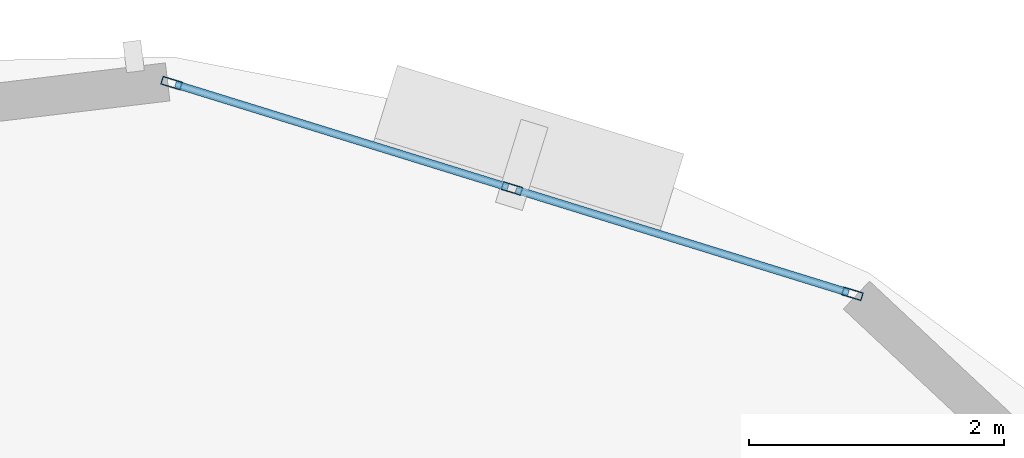
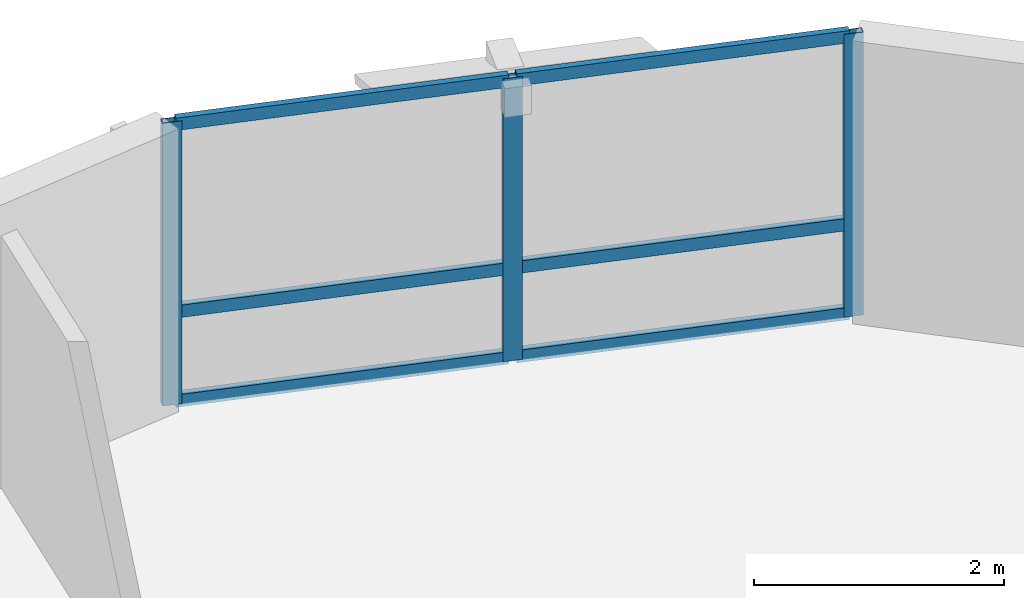
# One storey, part 5 of 11: 9 members, 1 element without a shape of its own.
"""IFC4 building model written with IfcOpenShell, lengths in metres."""

from ifc_helpers import new_model, si_unit, direction, frame, origin, origin_2d, place, context, subcontext, project, spatial, hollow_rectangle, extrude, material, layer, layer_set, material_profile, profile_set, type_object, element, aggregate, save


model = new_model("IFC4")

# Units and contexts
model_context = context("Model", 3, precision=1e-05, world=origin(), true_north=direction((0.0, 1.0)))
body_context = subcontext(model_context, "Body", "Model", "MODEL_VIEW")
ifc_project = project(units=[si_unit("LENGTHUNIT", "METRE"), si_unit("AREAUNIT", "SQUARE_METRE"), si_unit("VOLUMEUNIT", "CUBIC_METRE"), si_unit("PLANEANGLEUNIT", "RADIAN"), si_unit("MASSUNIT", "GRAM", prefix="KILO"), si_unit("THERMODYNAMICTEMPERATUREUNIT", "KELVIN"), si_unit("POWERUNIT", "WATT")], contexts=[model_context])

# Site, building, storey
site_placement = place(None, origin())
site = spatial("IfcSite", under=ifc_project, at=site_placement, CompositionType="ELEMENT")
building_placement = place(site_placement, origin())
building = spatial("IfcBuilding", under=site, at=building_placement, Name="Ocrelia Relay Tower", CompositionType="ELEMENT")
storey_placement = place(building_placement, frame((0.0, 0.0, 277.199951171875)))
storey = spatial("IfcBuildingStorey", under=building, at=storey_placement, Name="L69", CompositionType="ELEMENT", Elevation=277.199951171875)

# Curtain wall, members
ifc_material_1 = material(Name="Aluminium and solar-control low-E glass", Category="aluminium")
ifc_layer = layer(ifc_material_1, 0.179931640625, Name="Aluminium and solar-control low-E glass")
ifc_layer_set = layer_set([ifc_layer], Name="Aluminium and solar-control low-E glass")
curtain_wall_type = type_object("IfcCurtainWallType", Name="CW-SYS-Z4-EXEC", PredefinedType="NOTDEFINED", material=ifc_layer_set)
curtain_wall_placement = place(storey_placement, origin())
curtain_wall = element("IfcCurtainWall", 1, at=curtain_wall_placement, inside=storey, type_object=curtain_wall_type, Name="L69 Elliptical Tower Curtain Wall Bay 01", PredefinedType="NOTDEFINED")
ifc_material_2 = material(Name="Anodised bronze aluminium", Category="aluminium")
ifc_material_profile_1 = material_profile(ifc_material_2, hollow_rectangle(XDim=0.06494140625, YDim=0.159912109375, WallThickness=0.0048828125, at=origin_2d()), Name="CW-MUL-160x65")
ifc_profile_set_1 = profile_set([ifc_material_profile_1], Name="Anodised bronze aluminium")
member_type_1 = type_object("IfcMemberType", Name="CW-SYS-Z4-EXEC-MUL", PredefinedType="MULLION", material=ifc_profile_set_1)
member_1_placement = place(storey_placement, frame((44.5166015625, 44.168701171875, 0.0), z_axis=(0.0, 0.0, 1.0), x_axis=(-0.295664885419, -0.955291722737, 0.0)))
member_1 = element("IfcMember", 2, at=member_1_placement, type_object=member_type_1, Name="CW-Z4 mullion 1", PredefinedType="MULLION", context=body_context, shape_type="SweptSolid", body=[
    extrude(hollow_rectangle(XDim=0.06494140625, YDim=0.159912109375, WallThickness=0.0048828125, at=origin_2d()), origin(), (0.0, 0.0, 1.0), 2.760009765625),
])
member_2_placement = place(storey_placement, frame((41.8486328125, 44.994384765625, 0.0), z_axis=(0.0, 0.0, 1.0), x_axis=(-0.295664885419, -0.955291722737, 0.0)))
member_2 = element("IfcMember", 3, at=member_2_placement, type_object=member_type_1, Name="CW-Z4 mullion 2", PredefinedType="MULLION", context=body_context, shape_type="SweptSolid", body=[
    extrude(hollow_rectangle(XDim=0.06494140625, YDim=0.159912109375, WallThickness=0.0048828125, at=origin_2d()), origin(), (0.0, 0.0, 1.0), 2.760009765625),
])
member_3_placement = place(storey_placement, frame((39.180908203125, 45.820068359375, 0.0), z_axis=(0.0, 0.0, 1.0), x_axis=(-0.295664885419, -0.955291722737, 0.0)))
member_3 = element("IfcMember", 4, at=member_3_placement, type_object=member_type_1, Name="CW-Z4 mullion 3", PredefinedType="MULLION", context=body_context, shape_type="SweptSolid", body=[
    extrude(hollow_rectangle(XDim=0.06494140625, YDim=0.159912109375, WallThickness=0.0048828125, at=origin_2d()), origin(), (0.0, 0.0, 1.0), 2.760009765625),
])
ifc_material_profile_2 = material_profile(ifc_material_2, hollow_rectangle(XDim=0.06005859375, YDim=0.1201171875, WallThickness=0.0048828125, at=origin_2d()), Name="CW-TRN-120x60")
ifc_profile_set_2 = profile_set([ifc_material_profile_2], Name="Anodised bronze aluminium")
member_type_2 = type_object("IfcMemberType", Name="CW-SYS-Z4-EXEC-TRN", PredefinedType="USERDEFINED", material=ifc_profile_set_2)
member_4_placement = place(storey_placement, frame((44.485595703125, 44.17822265625, 0.030029296875), z_axis=(-0.955299734629, 0.295638997796, 0.0), x_axis=(-0.295638997796, -0.955299734629, 0.0)))
member_4 = element("IfcMember", 5, at=member_4_placement, type_object=member_type_2, Name="CW-Z4 transom 1.1", ObjectType="TRANSOM", PredefinedType="USERDEFINED", context=body_context, shape_type="SweptSolid", body=[
    extrude(hollow_rectangle(XDim=0.06005859375, YDim=0.1201171875, WallThickness=0.0048828125, at=origin_2d()), origin(), (0.0, 0.0, 1.0), 2.7275390625),
])
member_5_placement = place(storey_placement, frame((44.485595703125, 44.17822265625, 0.900146484375), z_axis=(-0.955299734629, 0.295638997796, 0.0), x_axis=(-0.295638997796, -0.955299734629, 0.0)))
member_5 = element("IfcMember", 6, at=member_5_placement, type_object=member_type_2, Name="CW-Z4 transom 1.2", ObjectType="TRANSOM", PredefinedType="USERDEFINED", context=body_context, shape_type="SweptSolid", body=[
    extrude(hollow_rectangle(XDim=0.06005859375, YDim=0.1201171875, WallThickness=0.0048828125, at=origin_2d()), origin(), (0.0, 0.0, 1.0), 2.7275390625),
])
member_6_placement = place(storey_placement, frame((44.485595703125, 44.17822265625, 2.72998046875), z_axis=(-0.955299734629, 0.295638997796, 0.0), x_axis=(-0.295638997796, -0.955299734629, 0.0)))
member_6 = element("IfcMember", 7, at=member_6_placement, type_object=member_type_2, Name="CW-Z4 transom 1.3", ObjectType="TRANSOM", PredefinedType="USERDEFINED", context=body_context, shape_type="SweptSolid", body=[
    extrude(hollow_rectangle(XDim=0.06005859375, YDim=0.1201171875, WallThickness=0.0048828125, at=origin_2d()), origin(), (0.0, 0.0, 1.0), 2.7275390625),
])
member_7_placement = place(storey_placement, frame((41.817626953125, 45.00390625, 0.030029296875), z_axis=(-0.955299734629, 0.295638997796, 0.0), x_axis=(-0.295638997796, -0.955299734629, 0.0)))
member_7 = element("IfcMember", 8, at=member_7_placement, type_object=member_type_2, Name="CW-Z4 transom 2.1", ObjectType="TRANSOM", PredefinedType="USERDEFINED", context=body_context, shape_type="SweptSolid", body=[
    extrude(hollow_rectangle(XDim=0.06005859375, YDim=0.1201171875, WallThickness=0.0048828125, at=origin_2d()), origin(), (0.0, 0.0, 1.0), 2.7275390625),
])
member_8_placement = place(storey_placement, frame((41.817626953125, 45.00390625, 0.900146484375), z_axis=(-0.955299734629, 0.295638997796, 0.0), x_axis=(-0.295638997796, -0.955299734629, 0.0)))
member_8 = element("IfcMember", 9, at=member_8_placement, type_object=member_type_2, Name="CW-Z4 transom 2.2", ObjectType="TRANSOM", PredefinedType="USERDEFINED", context=body_context, shape_type="SweptSolid", body=[
    extrude(hollow_rectangle(XDim=0.06005859375, YDim=0.1201171875, WallThickness=0.0048828125, at=origin_2d()), origin(), (0.0, 0.0, 1.0), 2.7275390625),
])
member_9_placement = place(storey_placement, frame((41.817626953125, 45.00390625, 2.72998046875), z_axis=(-0.955299734629, 0.295638997796, 0.0), x_axis=(-0.295638997796, -0.955299734629, 0.0)))
member_9 = element("IfcMember", 10, at=member_9_placement, type_object=member_type_2, Name="CW-Z4 transom 2.3", ObjectType="TRANSOM", PredefinedType="USERDEFINED", context=body_context, shape_type="SweptSolid", body=[
    extrude(hollow_rectangle(XDim=0.06005859375, YDim=0.1201171875, WallThickness=0.0048828125, at=origin_2d()), origin(), (0.0, 0.0, 1.0), 2.7275390625),
])
aggregate(curtain_wall, [member_1, member_2, member_3, member_4, member_5, member_6, member_7, member_8, member_9])

save(model, "model.ifc")
